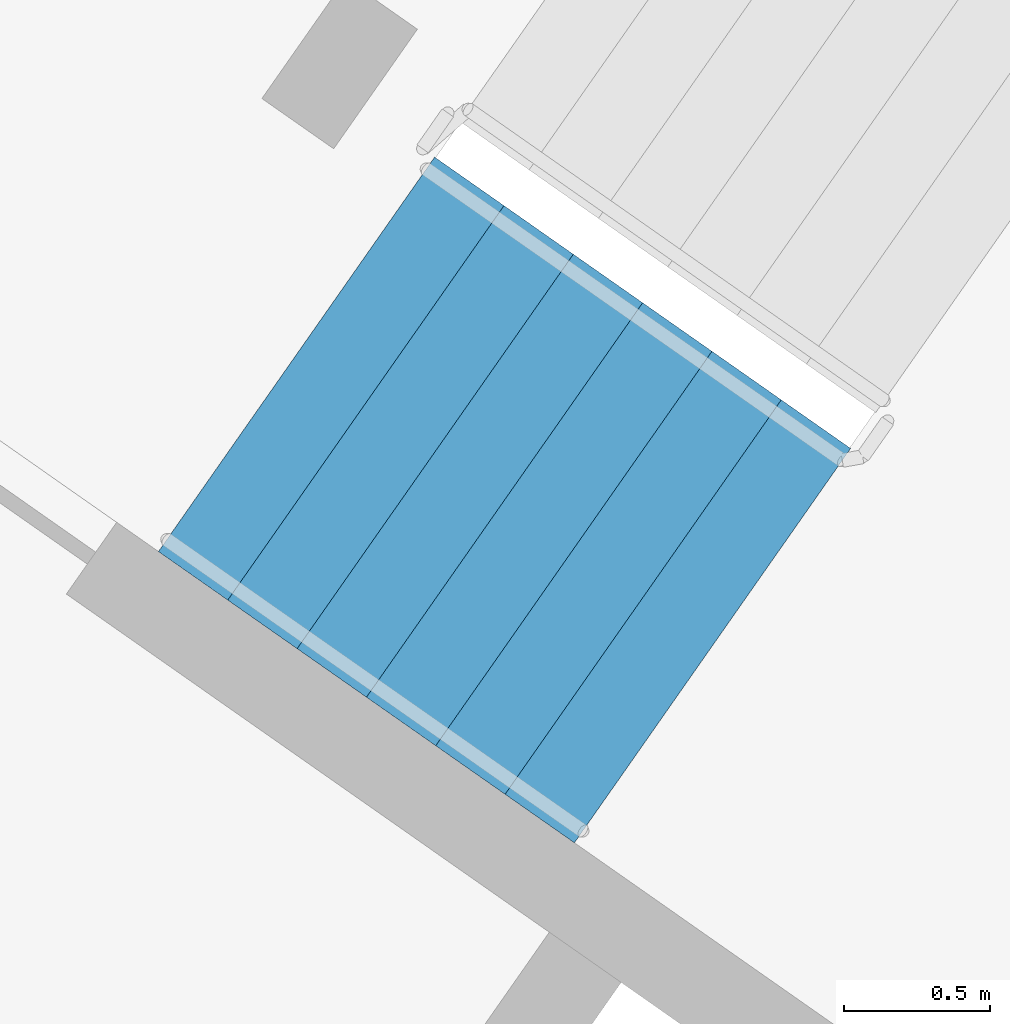
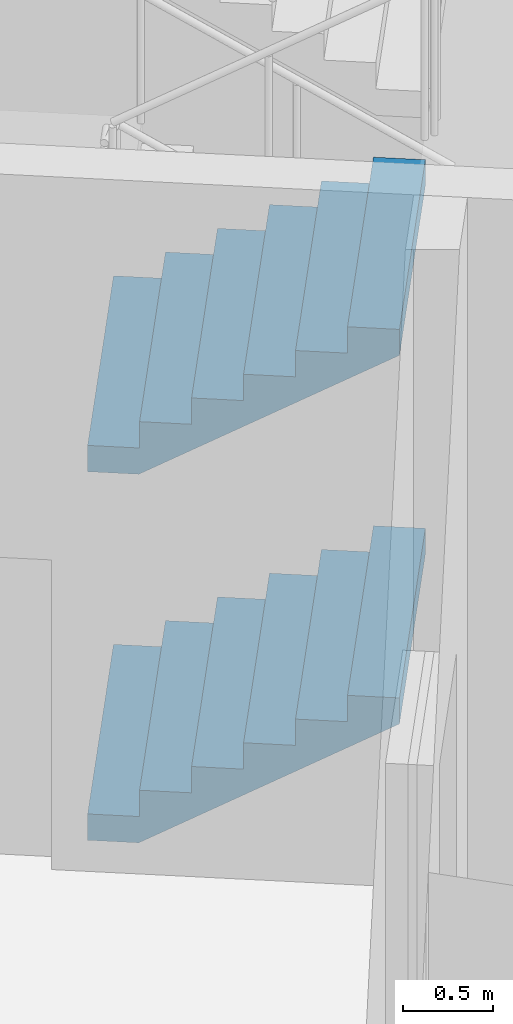
# One storey, part 15 of 25: 2 stair flights, 1 element without a shape of its own.
"""IFC4 building model written with IfcOpenShell, lengths in metres."""

import ifcopenshell
import ifcopenshell.guid

model = None  # the IFC model being written
_history = None  # IfcOwnerHistory: only IFC2X3 demands one
_inside = {}  # id of a spatial element -> (the spatial element, [elements in it])
_under = {}  # id of a project, library or spatial element -> (it, [spatial elements below it])
_declared = {}  # id of a project -> (the project, [libraries it declares])
_typed = {}  # id of a type object -> (the type object, [elements of that type])
_made_of = {}  # id of a material, layer set ... -> (it, [elements and type objects made of it])


def new_model(schema):
    """Start an empty IFC model of exactly this schema.

    Asked for "IFC4X3", IfcOpenShell would pick the latest addendum, in which some entities
    have other attributes; the version numbers below select the first issue.
    IFC2X3 requires an IfcOwnerHistory on every rooted entity: one is made here for all.
    """
    global model, _history
    if schema == "IFC4X3":
        model = ifcopenshell.file(schema_version=(4, 3, 0, 0))
    else:
        model = ifcopenshell.file(schema=schema)
    _inside.clear()
    _under.clear()
    _declared.clear()
    _typed.clear()
    _made_of.clear()
    _history = None
    if model.schema == "IFC2X3":
        org = make("IfcOrganization", Name="unknown")
        user = make(
            "IfcPersonAndOrganization",
            ThePerson=make("IfcPerson", FamilyName="unknown"),
            TheOrganization=org,
        )
        app = make(
            "IfcApplication",
            ApplicationDeveloper=org,
            Version="unknown",
            ApplicationFullName="unknown",
            ApplicationIdentifier="unknown",
        )
        _history = make(
            "IfcOwnerHistory",
            OwningUser=user,
            OwningApplication=app,
            ChangeAction="ADDED",
            CreationDate=0,
        )
    return model


def make(cls, **values):
    """One entity of the class cls with the attributes given. An attribute that is None is left unset."""
    return model.create_entity(
        cls, **{name: value for name, value in values.items() if value is not None}
    )


def rooted(cls, **values):
    """An entity with a GlobalId (a new one), such as an element, a storey or a relation."""
    return make(cls, GlobalId=ifcopenshell.guid.new(), OwnerHistory=_history, **values)


def si_unit(unit_type, name, prefix=None):
    """IfcSIUnit, for example si_unit("LENGTHUNIT", "METRE", prefix="MILLI")."""
    return make("IfcSIUnit", UnitType=unit_type, Prefix=prefix, Name=name)


def assignment(units):
    """IfcUnitAssignment: the units of a project."""
    return None if units is None else make("IfcUnitAssignment", Units=units)


def point(xyz):
    """IfcCartesianPoint."""
    return None if xyz is None else make("IfcCartesianPoint", Coordinates=xyz)


def direction(xyz):
    """IfcDirection."""
    return None if xyz is None else make("IfcDirection", DirectionRatios=xyz)


def frame(location, z_axis=None, x_axis=None):
    """IfcAxis2Placement3D, a coordinate frame: its origin and axes. An axis left out is left unset."""
    return make(
        "IfcAxis2Placement3D",
        Location=point(location),
        Axis=direction(z_axis),
        RefDirection=direction(x_axis),
    )


def origin():
    """The frame at (0, 0, 0) with its axes left unset."""
    return frame((0.0, 0.0, 0.0))


def place(relative_to, where):
    """IfcLocalPlacement: puts the frame where relative to a parent placement (None: the world)."""
    return make(
        "IfcLocalPlacement", PlacementRelTo=relative_to, RelativePlacement=where
    )


def context(
    kind, dimensions, precision=None, world=None, true_north=None, identifier=None
):
    """IfcGeometricRepresentationContext, for example the 3D "Model" context."""
    return make(
        "IfcGeometricRepresentationContext",
        ContextIdentifier=identifier,
        ContextType=kind,
        CoordinateSpaceDimension=dimensions,
        Precision=precision,
        WorldCoordinateSystem=world,
        TrueNorth=true_north,
    )


def subcontext(parent, identifier, kind, view, scale=None):
    """IfcGeometricRepresentationSubContext, for example "Body" below "Model"."""
    return make(
        "IfcGeometricRepresentationSubContext",
        ContextIdentifier=identifier,
        ContextType=kind,
        ParentContext=parent,
        TargetScale=scale,
        TargetView=view,
    )


def project(units=None, contexts=None):
    """IfcProject with its units and contexts."""
    return rooted(
        "IfcProject",
        Name="project",
        RepresentationContexts=contexts,
        UnitsInContext=assignment(units),
    )


def spatial(cls, under=None, at=None, **own):
    """A site, building, storey or space (cls), placed at a placement, below another one or the project."""
    s = rooted(cls, ObjectPlacement=at, **own)
    if under is not None:
        _under.setdefault(under.id(), (under, []))[1].append(s)
    return s


def faces_of(points, faces, orient=None, outer=None):
    """IfcFace entities. A face is a list of loops; a loop is a list of indices into points, from 0.

    orient and outer hold one flag for each loop. By default every Orientation is true, the
    first loop of a face is its IfcFaceOuterBound and the others are IfcFaceBound.
    """
    made = []
    for i, loops in enumerate(faces):
        bounds = []
        for j, loop in enumerate(loops):
            is_outer = j == 0 if outer is None else outer[i][j]
            bounds.append(
                make(
                    "IfcFaceOuterBound" if is_outer else "IfcFaceBound",
                    Bound=make("IfcPolyLoop", Polygon=[points[k] for k in loop]),
                    Orientation=True if orient is None else orient[i][j],
                )
            )
        made.append(make("IfcFace", Bounds=bounds))
    return made


def faceted_brep(points, faces, orient=None, outer=None, voids=None):
    """IfcFacetedBrep: a solid bounded by flat faces; with voids (closed shells), ...WithVoids."""
    shared = [point(p) for p in points]
    hull = make("IfcClosedShell", CfsFaces=faces_of(shared, faces, orient, outer))
    if voids is None:
        return make("IfcFacetedBrep", Outer=hull)
    return make(
        "IfcFacetedBrepWithVoids",
        Outer=hull,
        Voids=[
            make(cls, CfsFaces=faces_of(shared, fs, o, b)) for cls, fs, o, b in voids
        ],
    )


def shape(context_of_items, identifier, shape_type, items):
    """IfcShapeRepresentation: the items that make up one representation, for example the "Body"."""
    return make(
        "IfcShapeRepresentation",
        ContextOfItems=context_of_items,
        RepresentationIdentifier=identifier,
        RepresentationType=shape_type,
        Items=items,
    )


def material(Name=None, Category=None):
    """IfcMaterial."""
    return make("IfcMaterial", Name=Name, Category=Category)


def made_of(thing, what):
    """Note that an element or type object is made of a material, layer set ...; save() writes the relation."""
    if what is not None:
        _made_of.setdefault(what.id(), (what, []))[1].append(thing)
    return thing


def type_object(cls, material=None, **own):
    """A type object (cls), such as IfcWallType, which elements share."""
    return made_of(rooted(cls, **own), material)


def element(
    cls,
    number,
    at=None,
    inside=None,
    cuts=None,
    type_object=None,
    material=None,
    context=None,
    identifier="Body",
    shape_type=None,
    held_by="IfcProductDefinitionShape",
    body=None,
    shapes=None,
    **own,
):
    """One element of the class cls, such as IfcWall. Its Tag is "e" and its number.

    at: its placement. inside: the storey or other place that contains it. cuts: it is an
    opening in that element (IfcRelVoidsElement). A single representation is given by context,
    identifier, shape_type and body (its items); several are given by shapes. held_by: the class
    of the entity that holds the representations. save() writes the other relations.
    """
    e = rooted(cls, Tag="e%d" % number, ObjectPlacement=at, **own)
    if body is not None:
        shapes = [shape(context, identifier, shape_type, body)]
    if shapes is not None:
        e.Representation = make(held_by, Representations=shapes)
    if inside is not None:
        _inside.setdefault(inside.id(), (inside, []))[1].append(e)
    if cuts is not None:
        rooted(
            "IfcRelVoidsElement", RelatingBuildingElement=cuts, RelatedOpeningElement=e
        )
    if type_object is not None:
        _typed.setdefault(type_object.id(), (type_object, []))[1].append(e)
    return made_of(e, material)


def aggregate(whole, parts):
    """IfcRelAggregates: a whole, such as a stair, and the parts it consists of."""
    return rooted("IfcRelAggregates", RelatingObject=whole, RelatedObjects=parts)


def save(model, path):
    """Write the relations noted so far, then the file.

    IfcRelAggregates (storeys below a building ...), IfcRelContainedInSpatialStructure (elements
    in a storey), IfcRelDefinesByType, IfcRelAssociatesMaterial and IfcRelDeclares: one each for
    every whole, place, type object, material and project.
    """
    for whole, parts in _under.values():
        aggregate(whole, parts)
    for where, things in _inside.values():
        rooted(
            "IfcRelContainedInSpatialStructure",
            RelatedElements=things,
            RelatingStructure=where,
        )
    for kind, things in _typed.values():
        rooted("IfcRelDefinesByType", RelatedObjects=things, RelatingType=kind)
    for what, things in _made_of.values():
        rooted("IfcRelAssociatesMaterial", RelatedObjects=things, RelatingMaterial=what)
    for by, libraries in _declared.values():
        rooted("IfcRelDeclares", RelatingContext=by, RelatedDefinitions=libraries)
    model.write(path)


model = new_model("IFC4")

# Units and contexts
model_context = context("Model", 3, precision=1e-05, world=origin(), true_north=direction((0.0, 1.0)))
body_context = subcontext(model_context, "Body", "Model", "MODEL_VIEW")
ifc_project = project(units=[si_unit("LENGTHUNIT", "METRE"), si_unit("AREAUNIT", "SQUARE_METRE"), si_unit("VOLUMEUNIT", "CUBIC_METRE"), si_unit("PLANEANGLEUNIT", "RADIAN"), si_unit("MASSUNIT", "GRAM", prefix="KILO")], contexts=[model_context])

# Site, building, storey
site_placement = place(None, origin())
site = spatial("IfcSite", under=ifc_project, at=site_placement, CompositionType="ELEMENT")
building_placement = place(site_placement, origin())
building = spatial("IfcBuilding", under=site, at=building_placement, Name="Qamariyya Broadcast Tower", CompositionType="ELEMENT")
storey_placement = place(building_placement, frame((0.0, 0.0, 89.89990234375)))
storey = spatial("IfcBuildingStorey", under=building, at=storey_placement, Name="L19", CompositionType="ELEMENT", Elevation=89.89990234375)

# Stair, stair flights
ifc_material = material(Name="Concrete C50/60", Category="concrete")
stair_type = type_object("IfcStairType", Name="Exit stair 28 risers of 179 mm", PredefinedType="HALF_TURN_STAIR", material=ifc_material)
stair_placement = place(storey_placement, origin())
stair = element("IfcStair", 1, at=stair_placement, inside=storey, type_object=stair_type, Name="L19 Stair W2", PredefinedType="HALF_TURN_STAIR")
stair_flight_type = type_object("IfcStairFlightType", Name="Exit stair flight 7 risers of 179 mm", PredefinedType="STRAIGHT", material=ifc_material)
stair_flight_1_placement = place(storey_placement, frame((-41.59130859375, -49.15966796875, 0.0), z_axis=(0.0, 0.0, 1.0), x_axis=(0.819152044289, -0.573576436351, 0.0)))
stair_flight_1 = element("IfcStairFlight", 2, at=stair_flight_1_placement, type_object=stair_flight_type, Name="ST-W2 flight 1", NumberOfRisers=7, NumberOfTreads=6, PredefinedType="STRAIGHT", RiserHeight=0.178571429, TreadLength=0.29, context=body_context, shape_type="Brep", body=[
    faceted_brep([(0.0, 0.824951171875, 0.0), (0.0, 0.824951171875, 0.178466796875), (0.2900390625, 0.824951171875, 0.178466796875), (0.2900390625, 0.824951171875, 0.357177734375), (0.580078125, 0.824951171875, 0.357177734375), (0.580078125, 0.824951171875, 0.53564453125), (0.8701171875, 0.824951171875, 0.53564453125), (0.8701171875, 0.824951171875, 0.71435546875), (1.159912109375, 0.824951171875, 0.71435546875), (1.159912109375, 0.824951171875, 0.892822265625), (1.449951171875, 0.824951171875, 0.892822265625), (1.449951171875, 0.824951171875, 1.071533203125), (1.739990234375, 0.824951171875, 1.071533203125), (1.739990234375, 0.824951171875, 0.8955078125), (0.285888671875, 0.824951171875, 0.0), (0.285888671875, -0.824951171875, 0.0), (1.739990234375, -0.824951171875, 0.8955078125), (1.739990234375, -0.824951171875, 1.071533203125), (1.449951171875, -0.824951171875, 1.071533203125), (1.449951171875, -0.824951171875, 0.892822265625), (1.159912109375, -0.824951171875, 0.892822265625), (1.159912109375, -0.824951171875, 0.71435546875), (0.8701171875, -0.824951171875, 0.71435546875), (0.8701171875, -0.824951171875, 0.53564453125), (0.580078125, -0.824951171875, 0.53564453125), (0.580078125, -0.824951171875, 0.357177734375), (0.2900390625, -0.824951171875, 0.357177734375), (0.2900390625, -0.824951171875, 0.178466796875), (0.0, -0.824951171875, 0.178466796875), (0.0, -0.824951171875, 0.0), (0.0, 0.10009765625, 0.0), (0.0, 0.086669921875, 0.0), (0.0, 0.0732421875, 0.0), (0.0, 0.06005859375, 0.0), (0.0, 0.046630859375, 0.0), (0.0, 0.033447265625, 0.0), (0.0, 0.02001953125, 0.0), (0.0, 0.006591796875, 0.0), (0.0, -0.006591796875, 0.0), (0.0, -0.02001953125, 0.0), (0.0, -0.033447265625, 0.0), (0.0, -0.046630859375, 0.0), (0.0, -0.06005859375, 0.0), (0.0, -0.0732421875, 0.0), (0.0, -0.086669921875, 0.0), (0.0, -0.10009765625, 0.0), (0.0, -0.10009765625, 0.178466796875), (0.0, -0.086669921875, 0.178466796875), (0.0, -0.0732421875, 0.178466796875), (0.0, -0.06005859375, 0.178466796875), (0.0, -0.046630859375, 0.178466796875), (0.0, -0.033447265625, 0.178466796875), (0.0, -0.02001953125, 0.178466796875), (0.0, -0.006591796875, 0.178466796875), (0.0, 0.006591796875, 0.178466796875), (0.0, 0.02001953125, 0.178466796875), (0.0, 0.033447265625, 0.178466796875), (0.0, 0.046630859375, 0.178466796875), (0.0, 0.06005859375, 0.178466796875), (0.0, 0.0732421875, 0.178466796875), (0.0, 0.086669921875, 0.178466796875), (0.0, 0.10009765625, 0.178466796875), (0.2900390625, -0.10009765625, 0.178466796875), (0.2900390625, -0.086669921875, 0.178466796875), (0.2900390625, -0.0732421875, 0.178466796875), (0.2900390625, -0.06005859375, 0.178466796875), (0.2900390625, -0.046630859375, 0.178466796875), (0.2900390625, -0.033447265625, 0.178466796875), (0.2900390625, -0.02001953125, 0.178466796875), (0.2900390625, -0.006591796875, 0.178466796875), (0.2900390625, 0.006591796875, 0.178466796875), (0.2900390625, 0.02001953125, 0.178466796875), (0.2900390625, 0.033447265625, 0.178466796875), (0.2900390625, 0.046630859375, 0.178466796875), (0.2900390625, 0.06005859375, 0.178466796875), (0.2900390625, 0.0732421875, 0.178466796875), (0.2900390625, 0.086669921875, 0.178466796875), (0.2900390625, 0.10009765625, 0.178466796875), (0.2900390625, -0.10009765625, 0.357177734375), (0.2900390625, -0.086669921875, 0.357177734375), (0.2900390625, -0.0732421875, 0.357177734375), (0.2900390625, -0.06005859375, 0.357177734375), (0.2900390625, -0.046630859375, 0.357177734375), (0.2900390625, -0.033447265625, 0.357177734375), (0.2900390625, -0.02001953125, 0.357177734375), (0.2900390625, -0.006591796875, 0.357177734375), (0.2900390625, 0.006591796875, 0.357177734375), (0.2900390625, 0.02001953125, 0.357177734375), (0.2900390625, 0.033447265625, 0.357177734375), (0.2900390625, 0.046630859375, 0.357177734375), (0.2900390625, 0.06005859375, 0.357177734375), (0.2900390625, 0.0732421875, 0.357177734375), (0.2900390625, 0.086669921875, 0.357177734375), (0.2900390625, 0.10009765625, 0.357177734375), (0.580078125, -0.10009765625, 0.357177734375), (0.580078125, -0.086669921875, 0.357177734375), (0.580078125, -0.0732421875, 0.357177734375), (0.580078125, -0.06005859375, 0.357177734375), (0.580078125, -0.046630859375, 0.357177734375), (0.580078125, -0.033447265625, 0.357177734375), (0.580078125, -0.02001953125, 0.357177734375), (0.580078125, -0.006591796875, 0.357177734375), (0.580078125, 0.006591796875, 0.357177734375), (0.580078125, 0.02001953125, 0.357177734375), (0.580078125, 0.033447265625, 0.357177734375), (0.580078125, 0.046630859375, 0.357177734375), (0.580078125, 0.06005859375, 0.357177734375), (0.580078125, 0.0732421875, 0.357177734375), (0.580078125, 0.086669921875, 0.357177734375), (0.580078125, 0.10009765625, 0.357177734375), (0.580078125, -0.10009765625, 0.53564453125), (0.580078125, -0.086669921875, 0.53564453125), (0.580078125, -0.0732421875, 0.53564453125), (0.580078125, -0.06005859375, 0.53564453125), (0.580078125, -0.046630859375, 0.53564453125), (0.580078125, -0.033447265625, 0.53564453125), (0.580078125, -0.02001953125, 0.53564453125), (0.580078125, -0.006591796875, 0.53564453125), (0.580078125, 0.006591796875, 0.53564453125), (0.580078125, 0.02001953125, 0.53564453125), (0.580078125, 0.033447265625, 0.53564453125), (0.580078125, 0.046630859375, 0.53564453125), (0.580078125, 0.06005859375, 0.53564453125), (0.580078125, 0.0732421875, 0.53564453125), (0.580078125, 0.086669921875, 0.53564453125), (0.580078125, 0.10009765625, 0.53564453125), (0.8701171875, -0.10009765625, 0.53564453125), (0.8701171875, -0.086669921875, 0.53564453125), (0.8701171875, -0.0732421875, 0.53564453125), (0.8701171875, -0.06005859375, 0.53564453125), (0.8701171875, -0.046630859375, 0.53564453125), (0.8701171875, -0.033447265625, 0.53564453125), (0.8701171875, -0.02001953125, 0.53564453125), (0.8701171875, -0.006591796875, 0.53564453125), (0.8701171875, 0.006591796875, 0.53564453125), (0.8701171875, 0.02001953125, 0.53564453125), (0.8701171875, 0.033447265625, 0.53564453125), (0.8701171875, 0.046630859375, 0.53564453125), (0.8701171875, 0.06005859375, 0.53564453125), (0.8701171875, 0.0732421875, 0.53564453125), (0.8701171875, 0.086669921875, 0.53564453125), (0.8701171875, 0.10009765625, 0.53564453125), (0.8701171875, -0.10009765625, 0.71435546875), (0.8701171875, -0.086669921875, 0.71435546875), (0.8701171875, -0.0732421875, 0.71435546875), (0.8701171875, -0.06005859375, 0.71435546875), (0.8701171875, -0.046630859375, 0.71435546875), (0.8701171875, -0.033447265625, 0.71435546875), (0.8701171875, -0.02001953125, 0.71435546875), (0.8701171875, -0.006591796875, 0.71435546875), (0.8701171875, 0.006591796875, 0.71435546875), (0.8701171875, 0.02001953125, 0.71435546875), (0.8701171875, 0.033447265625, 0.71435546875), (0.8701171875, 0.046630859375, 0.71435546875), (0.8701171875, 0.06005859375, 0.71435546875), (0.8701171875, 0.0732421875, 0.71435546875), (0.8701171875, 0.086669921875, 0.71435546875), (0.8701171875, 0.10009765625, 0.71435546875), (1.159912109375, -0.10009765625, 0.71435546875), (1.159912109375, -0.086669921875, 0.71435546875), (1.159912109375, -0.0732421875, 0.71435546875), (1.159912109375, -0.06005859375, 0.71435546875), (1.159912109375, -0.046630859375, 0.71435546875), (1.159912109375, -0.033447265625, 0.71435546875), (1.159912109375, -0.02001953125, 0.71435546875), (1.159912109375, -0.006591796875, 0.71435546875), (1.159912109375, 0.006591796875, 0.71435546875), (1.159912109375, 0.02001953125, 0.71435546875), (1.159912109375, 0.033447265625, 0.71435546875), (1.159912109375, 0.046630859375, 0.71435546875), (1.159912109375, 0.06005859375, 0.71435546875), (1.159912109375, 0.0732421875, 0.71435546875), (1.159912109375, 0.086669921875, 0.71435546875), (1.159912109375, 0.10009765625, 0.71435546875), (1.159912109375, -0.10009765625, 0.892822265625), (1.159912109375, -0.086669921875, 0.892822265625), (1.159912109375, -0.0732421875, 0.892822265625), (1.159912109375, -0.06005859375, 0.892822265625), (1.159912109375, -0.046630859375, 0.892822265625), (1.159912109375, -0.033447265625, 0.892822265625), (1.159912109375, -0.02001953125, 0.892822265625), (1.159912109375, -0.006591796875, 0.892822265625), (1.159912109375, 0.006591796875, 0.892822265625), (1.159912109375, 0.02001953125, 0.892822265625), (1.159912109375, 0.033447265625, 0.892822265625), (1.159912109375, 0.046630859375, 0.892822265625), (1.159912109375, 0.06005859375, 0.892822265625), (1.159912109375, 0.0732421875, 0.892822265625), (1.159912109375, 0.086669921875, 0.892822265625), (1.159912109375, 0.10009765625, 0.892822265625), (1.449951171875, -0.10009765625, 0.892822265625), (1.449951171875, -0.086669921875, 0.892822265625), (1.449951171875, -0.0732421875, 0.892822265625), (1.449951171875, -0.06005859375, 0.892822265625), (1.449951171875, -0.046630859375, 0.892822265625), (1.449951171875, -0.033447265625, 0.892822265625), (1.449951171875, -0.02001953125, 0.892822265625), (1.449951171875, -0.006591796875, 0.892822265625), (1.449951171875, 0.006591796875, 0.892822265625), (1.449951171875, 0.02001953125, 0.892822265625), (1.449951171875, 0.033447265625, 0.892822265625), (1.449951171875, 0.046630859375, 0.892822265625), (1.449951171875, 0.06005859375, 0.892822265625), (1.449951171875, 0.0732421875, 0.892822265625), (1.449951171875, 0.086669921875, 0.892822265625), (1.449951171875, 0.10009765625, 0.892822265625), (1.449951171875, -0.10009765625, 1.071533203125), (1.449951171875, -0.086669921875, 1.071533203125), (1.449951171875, -0.0732421875, 1.071533203125), (1.449951171875, -0.06005859375, 1.071533203125), (1.449951171875, -0.046630859375, 1.071533203125), (1.449951171875, -0.033447265625, 1.071533203125), (1.449951171875, -0.02001953125, 1.071533203125), (1.449951171875, -0.006591796875, 1.071533203125), (1.449951171875, 0.006591796875, 1.071533203125), (1.449951171875, 0.02001953125, 1.071533203125), (1.449951171875, 0.033447265625, 1.071533203125), (1.449951171875, 0.046630859375, 1.071533203125), (1.449951171875, 0.06005859375, 1.071533203125), (1.449951171875, 0.0732421875, 1.071533203125), (1.449951171875, 0.086669921875, 1.071533203125), (1.449951171875, 0.10009765625, 1.071533203125), (1.739990234375, -0.10009765625, 1.071533203125), (1.739990234375, -0.086669921875, 1.071533203125), (1.739990234375, -0.0732421875, 1.071533203125), (1.739990234375, -0.06005859375, 1.071533203125), (1.739990234375, -0.046630859375, 1.071533203125), (1.739990234375, -0.033447265625, 1.071533203125), (1.739990234375, -0.02001953125, 1.071533203125), (1.739990234375, -0.006591796875, 1.071533203125), (1.739990234375, 0.006591796875, 1.071533203125), (1.739990234375, 0.02001953125, 1.071533203125), (1.739990234375, 0.033447265625, 1.071533203125), (1.739990234375, 0.046630859375, 1.071533203125), (1.739990234375, 0.06005859375, 1.071533203125), (1.739990234375, 0.0732421875, 1.071533203125), (1.739990234375, 0.086669921875, 1.071533203125), (1.739990234375, 0.10009765625, 1.071533203125), (1.739990234375, -0.10009765625, 0.8955078125), (1.739990234375, -0.086669921875, 0.8955078125), (1.739990234375, -0.0732421875, 0.8955078125), (1.739990234375, -0.06005859375, 0.8955078125), (1.739990234375, -0.046630859375, 0.8955078125), (1.739990234375, -0.033447265625, 0.8955078125), (1.739990234375, -0.02001953125, 0.8955078125), (1.739990234375, -0.006591796875, 0.8955078125), (1.739990234375, 0.006591796875, 0.8955078125), (1.739990234375, 0.02001953125, 0.8955078125), (1.739990234375, 0.033447265625, 0.8955078125), (1.739990234375, 0.046630859375, 0.8955078125), (1.739990234375, 0.06005859375, 0.8955078125), (1.739990234375, 0.0732421875, 0.8955078125), (1.739990234375, 0.086669921875, 0.8955078125), (1.739990234375, 0.10009765625, 0.8955078125), (0.285888671875, -0.10009765625, 0.0), (0.285888671875, -0.086669921875, 0.0), (0.285888671875, -0.0732421875, 0.0), (0.285888671875, -0.06005859375, 0.0), (0.285888671875, -0.046630859375, 0.0), (0.285888671875, -0.033447265625, 0.0), (0.285888671875, -0.02001953125, 0.0), (0.285888671875, -0.006591796875, 0.0), (0.285888671875, 0.006591796875, 0.0), (0.285888671875, 0.02001953125, 0.0), (0.285888671875, 0.033447265625, 0.0), (0.285888671875, 0.046630859375, 0.0), (0.285888671875, 0.06005859375, 0.0), (0.285888671875, 0.0732421875, 0.0), (0.285888671875, 0.086669921875, 0.0), (0.285888671875, 0.10009765625, 0.0)], [[[0, 1, 2, 3, 4, 5, 6, 7, 8, 9, 10, 11, 12, 13, 14]], [[15, 16, 17, 18, 19, 20, 21, 22, 23, 24, 25, 26, 27, 28, 29]], [[0, 30, 31, 32, 33, 34, 35, 36, 37, 38, 39, 40, 41, 42, 43, 44, 45, 29, 28, 46, 47, 48, 49, 50, 51, 52, 53, 54, 55, 56, 57, 58, 59, 60, 61, 1]], [[1, 61, 60, 59, 58, 57, 56, 55, 54, 53, 52, 51, 50, 49, 48, 47, 46, 28, 27, 62, 63, 64, 65, 66, 67, 68, 69, 70, 71, 72, 73, 74, 75, 76, 77, 2]], [[2, 77, 76, 75, 74, 73, 72, 71, 70, 69, 68, 67, 66, 65, 64, 63, 62, 27, 26, 78, 79, 80, 81, 82, 83, 84, 85, 86, 87, 88, 89, 90, 91, 92, 93, 3]], [[3, 93, 92, 91, 90, 89, 88, 87, 86, 85, 84, 83, 82, 81, 80, 79, 78, 26, 25, 94, 95, 96, 97, 98, 99, 100, 101, 102, 103, 104, 105, 106, 107, 108, 109, 4]], [[4, 109, 108, 107, 106, 105, 104, 103, 102, 101, 100, 99, 98, 97, 96, 95, 94, 25, 24, 110, 111, 112, 113, 114, 115, 116, 117, 118, 119, 120, 121, 122, 123, 124, 125, 5]], [[5, 125, 124, 123, 122, 121, 120, 119, 118, 117, 116, 115, 114, 113, 112, 111, 110, 24, 23, 126, 127, 128, 129, 130, 131, 132, 133, 134, 135, 136, 137, 138, 139, 140, 141, 6]], [[6, 141, 140, 139, 138, 137, 136, 135, 134, 133, 132, 131, 130, 129, 128, 127, 126, 23, 22, 142, 143, 144, 145, 146, 147, 148, 149, 150, 151, 152, 153, 154, 155, 156, 157, 7]], [[7, 157, 156, 155, 154, 153, 152, 151, 150, 149, 148, 147, 146, 145, 144, 143, 142, 22, 21, 158, 159, 160, 161, 162, 163, 164, 165, 166, 167, 168, 169, 170, 171, 172, 173, 8]], [[8, 173, 172, 171, 170, 169, 168, 167, 166, 165, 164, 163, 162, 161, 160, 159, 158, 21, 20, 174, 175, 176, 177, 178, 179, 180, 181, 182, 183, 184, 185, 186, 187, 188, 189, 9]], [[9, 189, 188, 187, 186, 185, 184, 183, 182, 181, 180, 179, 178, 177, 176, 175, 174, 20, 19, 190, 191, 192, 193, 194, 195, 196, 197, 198, 199, 200, 201, 202, 203, 204, 205, 10]], [[10, 205, 204, 203, 202, 201, 200, 199, 198, 197, 196, 195, 194, 193, 192, 191, 190, 19, 18, 206, 207, 208, 209, 210, 211, 212, 213, 214, 215, 216, 217, 218, 219, 220, 221, 11]], [[11, 221, 220, 219, 218, 217, 216, 215, 214, 213, 212, 211, 210, 209, 208, 207, 206, 18, 17, 222, 223, 224, 225, 226, 227, 228, 229, 230, 231, 232, 233, 234, 235, 236, 237, 12]], [[12, 237, 236, 235, 234, 233, 232, 231, 230, 229, 228, 227, 226, 225, 224, 223, 222, 17, 16, 238, 239, 240, 241, 242, 243, 244, 245, 246, 247, 248, 249, 250, 251, 252, 253, 13]], [[13, 253, 252, 251, 250, 249, 248, 247, 246, 245, 244, 243, 242, 241, 240, 239, 238, 16, 15, 254, 255, 256, 257, 258, 259, 260, 261, 262, 263, 264, 265, 266, 267, 268, 269, 14]], [[14, 269, 268, 267, 266, 265, 264, 263, 262, 261, 260, 259, 258, 257, 256, 255, 254, 15, 29, 45, 44, 43, 42, 41, 40, 39, 38, 37, 36, 35, 34, 33, 32, 31, 30, 0]]]),
])
stair_flight_2_placement = place(storey_placement, frame((-41.59130859375, -49.15966796875, 2.5), z_axis=(0.0, 0.0, 1.0), x_axis=(0.819152044289, -0.573576436351, 0.0)))
stair_flight_2 = element("IfcStairFlight", 3, at=stair_flight_2_placement, type_object=stair_flight_type, Name="ST-W2 flight 3", NumberOfRisers=7, NumberOfTreads=6, PredefinedType="STRAIGHT", RiserHeight=0.178571429, TreadLength=0.29, context=body_context, shape_type="Brep", body=[
    faceted_brep([(0.0, 0.824951171875, 0.0), (0.0, 0.824951171875, 0.178466796875), (0.2900390625, 0.824951171875, 0.178466796875), (0.2900390625, 0.824951171875, 0.357177734375), (0.580078125, 0.824951171875, 0.357177734375), (0.580078125, 0.824951171875, 0.53564453125), (0.8701171875, 0.824951171875, 0.53564453125), (0.8701171875, 0.824951171875, 0.71435546875), (1.159912109375, 0.824951171875, 0.71435546875), (1.159912109375, 0.824951171875, 0.892822265625), (1.449951171875, 0.824951171875, 0.892822265625), (1.449951171875, 0.824951171875, 1.071533203125), (1.739990234375, 0.824951171875, 1.071533203125), (1.739990234375, 0.824951171875, 0.8955078125), (0.285888671875, 0.824951171875, 0.0), (0.285888671875, -0.824951171875, 0.0), (1.739990234375, -0.824951171875, 0.8955078125), (1.739990234375, -0.824951171875, 1.071533203125), (1.449951171875, -0.824951171875, 1.071533203125), (1.449951171875, -0.824951171875, 0.892822265625), (1.159912109375, -0.824951171875, 0.892822265625), (1.159912109375, -0.824951171875, 0.71435546875), (0.8701171875, -0.824951171875, 0.71435546875), (0.8701171875, -0.824951171875, 0.53564453125), (0.580078125, -0.824951171875, 0.53564453125), (0.580078125, -0.824951171875, 0.357177734375), (0.2900390625, -0.824951171875, 0.357177734375), (0.2900390625, -0.824951171875, 0.178466796875), (0.0, -0.824951171875, 0.178466796875), (0.0, -0.824951171875, 0.0), (0.0, 0.10009765625, 0.0), (0.0, 0.086669921875, 0.0), (0.0, 0.0732421875, 0.0), (0.0, 0.06005859375, 0.0), (0.0, 0.046630859375, 0.0), (0.0, 0.033447265625, 0.0), (0.0, 0.02001953125, 0.0), (0.0, 0.006591796875, 0.0), (0.0, -0.006591796875, 0.0), (0.0, -0.02001953125, 0.0), (0.0, -0.033447265625, 0.0), (0.0, -0.046630859375, 0.0), (0.0, -0.06005859375, 0.0), (0.0, -0.0732421875, 0.0), (0.0, -0.086669921875, 0.0), (0.0, -0.10009765625, 0.0), (0.0, -0.10009765625, 0.178466796875), (0.0, -0.086669921875, 0.178466796875), (0.0, -0.0732421875, 0.178466796875), (0.0, -0.06005859375, 0.178466796875), (0.0, -0.046630859375, 0.178466796875), (0.0, -0.033447265625, 0.178466796875), (0.0, -0.02001953125, 0.178466796875), (0.0, -0.006591796875, 0.178466796875), (0.0, 0.006591796875, 0.178466796875), (0.0, 0.02001953125, 0.178466796875), (0.0, 0.033447265625, 0.178466796875), (0.0, 0.046630859375, 0.178466796875), (0.0, 0.06005859375, 0.178466796875), (0.0, 0.0732421875, 0.178466796875), (0.0, 0.086669921875, 0.178466796875), (0.0, 0.10009765625, 0.178466796875), (0.2900390625, -0.10009765625, 0.178466796875), (0.2900390625, -0.086669921875, 0.178466796875), (0.2900390625, -0.0732421875, 0.178466796875), (0.2900390625, -0.06005859375, 0.178466796875), (0.2900390625, -0.046630859375, 0.178466796875), (0.2900390625, -0.033447265625, 0.178466796875), (0.2900390625, -0.02001953125, 0.178466796875), (0.2900390625, -0.006591796875, 0.178466796875), (0.2900390625, 0.006591796875, 0.178466796875), (0.2900390625, 0.02001953125, 0.178466796875), (0.2900390625, 0.033447265625, 0.178466796875), (0.2900390625, 0.046630859375, 0.178466796875), (0.2900390625, 0.06005859375, 0.178466796875), (0.2900390625, 0.0732421875, 0.178466796875), (0.2900390625, 0.086669921875, 0.178466796875), (0.2900390625, 0.10009765625, 0.178466796875), (0.2900390625, -0.10009765625, 0.357177734375), (0.2900390625, -0.086669921875, 0.357177734375), (0.2900390625, -0.0732421875, 0.357177734375), (0.2900390625, -0.06005859375, 0.357177734375), (0.2900390625, -0.046630859375, 0.357177734375), (0.2900390625, -0.033447265625, 0.357177734375), (0.2900390625, -0.02001953125, 0.357177734375), (0.2900390625, -0.006591796875, 0.357177734375), (0.2900390625, 0.006591796875, 0.357177734375), (0.2900390625, 0.02001953125, 0.357177734375), (0.2900390625, 0.033447265625, 0.357177734375), (0.2900390625, 0.046630859375, 0.357177734375), (0.2900390625, 0.06005859375, 0.357177734375), (0.2900390625, 0.0732421875, 0.357177734375), (0.2900390625, 0.086669921875, 0.357177734375), (0.2900390625, 0.10009765625, 0.357177734375), (0.580078125, -0.10009765625, 0.357177734375), (0.580078125, -0.086669921875, 0.357177734375), (0.580078125, -0.0732421875, 0.357177734375), (0.580078125, -0.06005859375, 0.357177734375), (0.580078125, -0.046630859375, 0.357177734375), (0.580078125, -0.033447265625, 0.357177734375), (0.580078125, -0.02001953125, 0.357177734375), (0.580078125, -0.006591796875, 0.357177734375), (0.580078125, 0.006591796875, 0.357177734375), (0.580078125, 0.02001953125, 0.357177734375), (0.580078125, 0.033447265625, 0.357177734375), (0.580078125, 0.046630859375, 0.357177734375), (0.580078125, 0.06005859375, 0.357177734375), (0.580078125, 0.0732421875, 0.357177734375), (0.580078125, 0.086669921875, 0.357177734375), (0.580078125, 0.10009765625, 0.357177734375), (0.580078125, -0.10009765625, 0.53564453125), (0.580078125, -0.086669921875, 0.53564453125), (0.580078125, -0.0732421875, 0.53564453125), (0.580078125, -0.06005859375, 0.53564453125), (0.580078125, -0.046630859375, 0.53564453125), (0.580078125, -0.033447265625, 0.53564453125), (0.580078125, -0.02001953125, 0.53564453125), (0.580078125, -0.006591796875, 0.53564453125), (0.580078125, 0.006591796875, 0.53564453125), (0.580078125, 0.02001953125, 0.53564453125), (0.580078125, 0.033447265625, 0.53564453125), (0.580078125, 0.046630859375, 0.53564453125), (0.580078125, 0.06005859375, 0.53564453125), (0.580078125, 0.0732421875, 0.53564453125), (0.580078125, 0.086669921875, 0.53564453125), (0.580078125, 0.10009765625, 0.53564453125), (0.8701171875, -0.10009765625, 0.53564453125), (0.8701171875, -0.086669921875, 0.53564453125), (0.8701171875, -0.0732421875, 0.53564453125), (0.8701171875, -0.06005859375, 0.53564453125), (0.8701171875, -0.046630859375, 0.53564453125), (0.8701171875, -0.033447265625, 0.53564453125), (0.8701171875, -0.02001953125, 0.53564453125), (0.8701171875, -0.006591796875, 0.53564453125), (0.8701171875, 0.006591796875, 0.53564453125), (0.8701171875, 0.02001953125, 0.53564453125), (0.8701171875, 0.033447265625, 0.53564453125), (0.8701171875, 0.046630859375, 0.53564453125), (0.8701171875, 0.06005859375, 0.53564453125), (0.8701171875, 0.0732421875, 0.53564453125), (0.8701171875, 0.086669921875, 0.53564453125), (0.8701171875, 0.10009765625, 0.53564453125), (0.8701171875, -0.10009765625, 0.71435546875), (0.8701171875, -0.086669921875, 0.71435546875), (0.8701171875, -0.0732421875, 0.71435546875), (0.8701171875, -0.06005859375, 0.71435546875), (0.8701171875, -0.046630859375, 0.71435546875), (0.8701171875, -0.033447265625, 0.71435546875), (0.8701171875, -0.02001953125, 0.71435546875), (0.8701171875, -0.006591796875, 0.71435546875), (0.8701171875, 0.006591796875, 0.71435546875), (0.8701171875, 0.02001953125, 0.71435546875), (0.8701171875, 0.033447265625, 0.71435546875), (0.8701171875, 0.046630859375, 0.71435546875), (0.8701171875, 0.06005859375, 0.71435546875), (0.8701171875, 0.0732421875, 0.71435546875), (0.8701171875, 0.086669921875, 0.71435546875), (0.8701171875, 0.10009765625, 0.71435546875), (1.159912109375, -0.10009765625, 0.71435546875), (1.159912109375, -0.086669921875, 0.71435546875), (1.159912109375, -0.0732421875, 0.71435546875), (1.159912109375, -0.06005859375, 0.71435546875), (1.159912109375, -0.046630859375, 0.71435546875), (1.159912109375, -0.033447265625, 0.71435546875), (1.159912109375, -0.02001953125, 0.71435546875), (1.159912109375, -0.006591796875, 0.71435546875), (1.159912109375, 0.006591796875, 0.71435546875), (1.159912109375, 0.02001953125, 0.71435546875), (1.159912109375, 0.033447265625, 0.71435546875), (1.159912109375, 0.046630859375, 0.71435546875), (1.159912109375, 0.06005859375, 0.71435546875), (1.159912109375, 0.0732421875, 0.71435546875), (1.159912109375, 0.086669921875, 0.71435546875), (1.159912109375, 0.10009765625, 0.71435546875), (1.159912109375, -0.10009765625, 0.892822265625), (1.159912109375, -0.086669921875, 0.892822265625), (1.159912109375, -0.0732421875, 0.892822265625), (1.159912109375, -0.06005859375, 0.892822265625), (1.159912109375, -0.046630859375, 0.892822265625), (1.159912109375, -0.033447265625, 0.892822265625), (1.159912109375, -0.02001953125, 0.892822265625), (1.159912109375, -0.006591796875, 0.892822265625), (1.159912109375, 0.006591796875, 0.892822265625), (1.159912109375, 0.02001953125, 0.892822265625), (1.159912109375, 0.033447265625, 0.892822265625), (1.159912109375, 0.046630859375, 0.892822265625), (1.159912109375, 0.06005859375, 0.892822265625), (1.159912109375, 0.0732421875, 0.892822265625), (1.159912109375, 0.086669921875, 0.892822265625), (1.159912109375, 0.10009765625, 0.892822265625), (1.449951171875, -0.10009765625, 0.892822265625), (1.449951171875, -0.086669921875, 0.892822265625), (1.449951171875, -0.0732421875, 0.892822265625), (1.449951171875, -0.06005859375, 0.892822265625), (1.449951171875, -0.046630859375, 0.892822265625), (1.449951171875, -0.033447265625, 0.892822265625), (1.449951171875, -0.02001953125, 0.892822265625), (1.449951171875, -0.006591796875, 0.892822265625), (1.449951171875, 0.006591796875, 0.892822265625), (1.449951171875, 0.02001953125, 0.892822265625), (1.449951171875, 0.033447265625, 0.892822265625), (1.449951171875, 0.046630859375, 0.892822265625), (1.449951171875, 0.06005859375, 0.892822265625), (1.449951171875, 0.0732421875, 0.892822265625), (1.449951171875, 0.086669921875, 0.892822265625), (1.449951171875, 0.10009765625, 0.892822265625), (1.449951171875, -0.10009765625, 1.071533203125), (1.449951171875, -0.086669921875, 1.071533203125), (1.449951171875, -0.0732421875, 1.071533203125), (1.449951171875, -0.06005859375, 1.071533203125), (1.449951171875, -0.046630859375, 1.071533203125), (1.449951171875, -0.033447265625, 1.071533203125), (1.449951171875, -0.02001953125, 1.071533203125), (1.449951171875, -0.006591796875, 1.071533203125), (1.449951171875, 0.006591796875, 1.071533203125), (1.449951171875, 0.02001953125, 1.071533203125), (1.449951171875, 0.033447265625, 1.071533203125), (1.449951171875, 0.046630859375, 1.071533203125), (1.449951171875, 0.06005859375, 1.071533203125), (1.449951171875, 0.0732421875, 1.071533203125), (1.449951171875, 0.086669921875, 1.071533203125), (1.449951171875, 0.10009765625, 1.071533203125), (1.739990234375, -0.10009765625, 1.071533203125), (1.739990234375, -0.086669921875, 1.071533203125), (1.739990234375, -0.0732421875, 1.071533203125), (1.739990234375, -0.06005859375, 1.071533203125), (1.739990234375, -0.046630859375, 1.071533203125), (1.739990234375, -0.033447265625, 1.071533203125), (1.739990234375, -0.02001953125, 1.071533203125), (1.739990234375, -0.006591796875, 1.071533203125), (1.739990234375, 0.006591796875, 1.071533203125), (1.739990234375, 0.02001953125, 1.071533203125), (1.739990234375, 0.033447265625, 1.071533203125), (1.739990234375, 0.046630859375, 1.071533203125), (1.739990234375, 0.06005859375, 1.071533203125), (1.739990234375, 0.0732421875, 1.071533203125), (1.739990234375, 0.086669921875, 1.071533203125), (1.739990234375, 0.10009765625, 1.071533203125), (1.739990234375, -0.10009765625, 0.8955078125), (1.739990234375, -0.086669921875, 0.8955078125), (1.739990234375, -0.0732421875, 0.8955078125), (1.739990234375, -0.06005859375, 0.8955078125), (1.739990234375, -0.046630859375, 0.8955078125), (1.739990234375, -0.033447265625, 0.8955078125), (1.739990234375, -0.02001953125, 0.8955078125), (1.739990234375, -0.006591796875, 0.8955078125), (1.739990234375, 0.006591796875, 0.8955078125), (1.739990234375, 0.02001953125, 0.8955078125), (1.739990234375, 0.033447265625, 0.8955078125), (1.739990234375, 0.046630859375, 0.8955078125), (1.739990234375, 0.06005859375, 0.8955078125), (1.739990234375, 0.0732421875, 0.8955078125), (1.739990234375, 0.086669921875, 0.8955078125), (1.739990234375, 0.10009765625, 0.8955078125), (0.285888671875, -0.10009765625, 0.0), (0.285888671875, -0.086669921875, 0.0), (0.285888671875, -0.0732421875, 0.0), (0.285888671875, -0.06005859375, 0.0), (0.285888671875, -0.046630859375, 0.0), (0.285888671875, -0.033447265625, 0.0), (0.285888671875, -0.02001953125, 0.0), (0.285888671875, -0.006591796875, 0.0), (0.285888671875, 0.006591796875, 0.0), (0.285888671875, 0.02001953125, 0.0), (0.285888671875, 0.033447265625, 0.0), (0.285888671875, 0.046630859375, 0.0), (0.285888671875, 0.06005859375, 0.0), (0.285888671875, 0.0732421875, 0.0), (0.285888671875, 0.086669921875, 0.0), (0.285888671875, 0.10009765625, 0.0)], [[[0, 1, 2, 3, 4, 5, 6, 7, 8, 9, 10, 11, 12, 13, 14]], [[15, 16, 17, 18, 19, 20, 21, 22, 23, 24, 25, 26, 27, 28, 29]], [[0, 30, 31, 32, 33, 34, 35, 36, 37, 38, 39, 40, 41, 42, 43, 44, 45, 29, 28, 46, 47, 48, 49, 50, 51, 52, 53, 54, 55, 56, 57, 58, 59, 60, 61, 1]], [[1, 61, 60, 59, 58, 57, 56, 55, 54, 53, 52, 51, 50, 49, 48, 47, 46, 28, 27, 62, 63, 64, 65, 66, 67, 68, 69, 70, 71, 72, 73, 74, 75, 76, 77, 2]], [[2, 77, 76, 75, 74, 73, 72, 71, 70, 69, 68, 67, 66, 65, 64, 63, 62, 27, 26, 78, 79, 80, 81, 82, 83, 84, 85, 86, 87, 88, 89, 90, 91, 92, 93, 3]], [[3, 93, 92, 91, 90, 89, 88, 87, 86, 85, 84, 83, 82, 81, 80, 79, 78, 26, 25, 94, 95, 96, 97, 98, 99, 100, 101, 102, 103, 104, 105, 106, 107, 108, 109, 4]], [[4, 109, 108, 107, 106, 105, 104, 103, 102, 101, 100, 99, 98, 97, 96, 95, 94, 25, 24, 110, 111, 112, 113, 114, 115, 116, 117, 118, 119, 120, 121, 122, 123, 124, 125, 5]], [[5, 125, 124, 123, 122, 121, 120, 119, 118, 117, 116, 115, 114, 113, 112, 111, 110, 24, 23, 126, 127, 128, 129, 130, 131, 132, 133, 134, 135, 136, 137, 138, 139, 140, 141, 6]], [[6, 141, 140, 139, 138, 137, 136, 135, 134, 133, 132, 131, 130, 129, 128, 127, 126, 23, 22, 142, 143, 144, 145, 146, 147, 148, 149, 150, 151, 152, 153, 154, 155, 156, 157, 7]], [[7, 157, 156, 155, 154, 153, 152, 151, 150, 149, 148, 147, 146, 145, 144, 143, 142, 22, 21, 158, 159, 160, 161, 162, 163, 164, 165, 166, 167, 168, 169, 170, 171, 172, 173, 8]], [[8, 173, 172, 171, 170, 169, 168, 167, 166, 165, 164, 163, 162, 161, 160, 159, 158, 21, 20, 174, 175, 176, 177, 178, 179, 180, 181, 182, 183, 184, 185, 186, 187, 188, 189, 9]], [[9, 189, 188, 187, 186, 185, 184, 183, 182, 181, 180, 179, 178, 177, 176, 175, 174, 20, 19, 190, 191, 192, 193, 194, 195, 196, 197, 198, 199, 200, 201, 202, 203, 204, 205, 10]], [[10, 205, 204, 203, 202, 201, 200, 199, 198, 197, 196, 195, 194, 193, 192, 191, 190, 19, 18, 206, 207, 208, 209, 210, 211, 212, 213, 214, 215, 216, 217, 218, 219, 220, 221, 11]], [[11, 221, 220, 219, 218, 217, 216, 215, 214, 213, 212, 211, 210, 209, 208, 207, 206, 18, 17, 222, 223, 224, 225, 226, 227, 228, 229, 230, 231, 232, 233, 234, 235, 236, 237, 12]], [[12, 237, 236, 235, 234, 233, 232, 231, 230, 229, 228, 227, 226, 225, 224, 223, 222, 17, 16, 238, 239, 240, 241, 242, 243, 244, 245, 246, 247, 248, 249, 250, 251, 252, 253, 13]], [[13, 253, 252, 251, 250, 249, 248, 247, 246, 245, 244, 243, 242, 241, 240, 239, 238, 16, 15, 254, 255, 256, 257, 258, 259, 260, 261, 262, 263, 264, 265, 266, 267, 268, 269, 14]], [[14, 269, 268, 267, 266, 265, 264, 263, 262, 261, 260, 259, 258, 257, 256, 255, 254, 15, 29, 45, 44, 43, 42, 41, 40, 39, 38, 37, 36, 35, 34, 33, 32, 31, 30, 0]]]),
])
aggregate(stair, [stair_flight_1, stair_flight_2])

save(model, "model.ifc")
